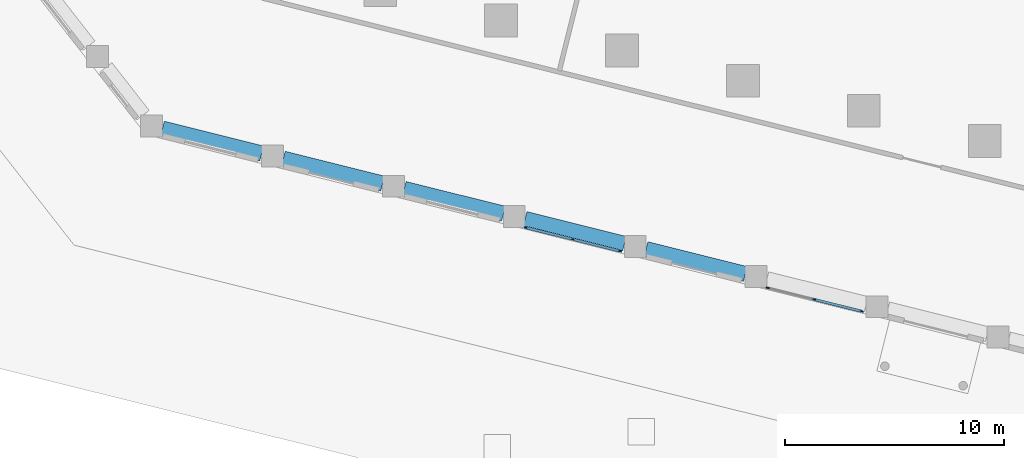
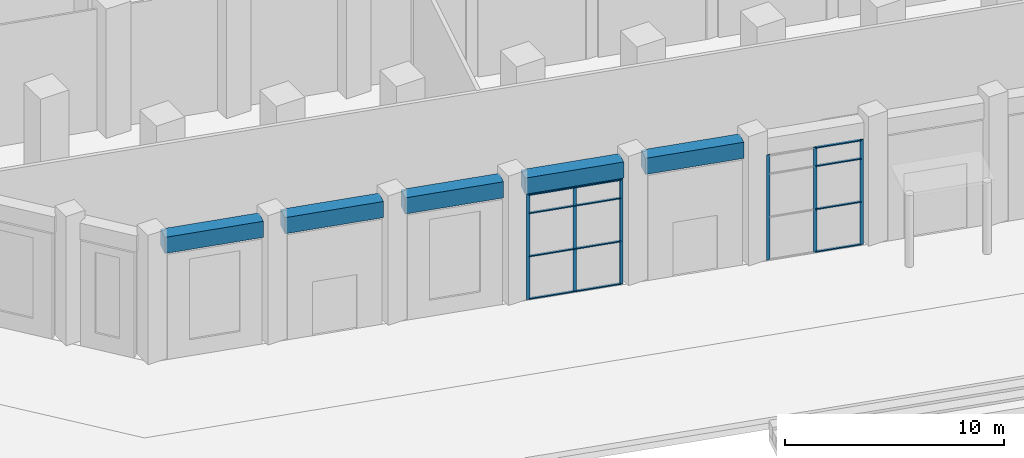
# One storey, part 5 of 27: 18 members, 5 beams, 2 elements without a shape of their own.
"""IFC4 building model written with IfcOpenShell, lengths in metres."""

import ifcopenshell
import ifcopenshell.guid

model = None  # the IFC model being written
_history = None  # IfcOwnerHistory: only IFC2X3 demands one
_inside = {}  # id of a spatial element -> (the spatial element, [elements in it])
_under = {}  # id of a project, library or spatial element -> (it, [spatial elements below it])
_declared = {}  # id of a project -> (the project, [libraries it declares])
_typed = {}  # id of a type object -> (the type object, [elements of that type])
_made_of = {}  # id of a material, layer set ... -> (it, [elements and type objects made of it])


def new_model(schema):
    """Start an empty IFC model of exactly this schema.

    Asked for "IFC4X3", IfcOpenShell would pick the latest addendum, in which some entities
    have other attributes; the version numbers below select the first issue.
    IFC2X3 requires an IfcOwnerHistory on every rooted entity: one is made here for all.
    """
    global model, _history
    if schema == "IFC4X3":
        model = ifcopenshell.file(schema_version=(4, 3, 0, 0))
    else:
        model = ifcopenshell.file(schema=schema)
    _inside.clear()
    _under.clear()
    _declared.clear()
    _typed.clear()
    _made_of.clear()
    _history = None
    if model.schema == "IFC2X3":
        org = make("IfcOrganization", Name="unknown")
        user = make(
            "IfcPersonAndOrganization",
            ThePerson=make("IfcPerson", FamilyName="unknown"),
            TheOrganization=org,
        )
        app = make(
            "IfcApplication",
            ApplicationDeveloper=org,
            Version="unknown",
            ApplicationFullName="unknown",
            ApplicationIdentifier="unknown",
        )
        _history = make(
            "IfcOwnerHistory",
            OwningUser=user,
            OwningApplication=app,
            ChangeAction="ADDED",
            CreationDate=0,
        )
    return model


def make(cls, **values):
    """One entity of the class cls with the attributes given. An attribute that is None is left unset."""
    return model.create_entity(
        cls, **{name: value for name, value in values.items() if value is not None}
    )


def rooted(cls, **values):
    """An entity with a GlobalId (a new one), such as an element, a storey or a relation."""
    return make(cls, GlobalId=ifcopenshell.guid.new(), OwnerHistory=_history, **values)


def si_unit(unit_type, name, prefix=None):
    """IfcSIUnit, for example si_unit("LENGTHUNIT", "METRE", prefix="MILLI")."""
    return make("IfcSIUnit", UnitType=unit_type, Prefix=prefix, Name=name)


def assignment(units):
    """IfcUnitAssignment: the units of a project."""
    return None if units is None else make("IfcUnitAssignment", Units=units)


def point(xyz):
    """IfcCartesianPoint."""
    return None if xyz is None else make("IfcCartesianPoint", Coordinates=xyz)


def direction(xyz):
    """IfcDirection."""
    return None if xyz is None else make("IfcDirection", DirectionRatios=xyz)


def frame(location, z_axis=None, x_axis=None):
    """IfcAxis2Placement3D, a coordinate frame: its origin and axes. An axis left out is left unset."""
    return make(
        "IfcAxis2Placement3D",
        Location=point(location),
        Axis=direction(z_axis),
        RefDirection=direction(x_axis),
    )


def frame_2d(location, x_axis=None):
    """IfcAxis2Placement2D, a coordinate frame in the plane: its origin and x axis."""
    return make(
        "IfcAxis2Placement2D", Location=point(location), RefDirection=direction(x_axis)
    )


def origin():
    """The frame at (0, 0, 0) with its axes left unset."""
    return frame((0.0, 0.0, 0.0))


def origin_2d():
    """The frame at (0, 0) in the plane with its x axis left unset."""
    return frame_2d((0.0, 0.0))


def place(relative_to, where):
    """IfcLocalPlacement: puts the frame where relative to a parent placement (None: the world)."""
    return make(
        "IfcLocalPlacement", PlacementRelTo=relative_to, RelativePlacement=where
    )


def context(
    kind, dimensions, precision=None, world=None, true_north=None, identifier=None
):
    """IfcGeometricRepresentationContext, for example the 3D "Model" context."""
    return make(
        "IfcGeometricRepresentationContext",
        ContextIdentifier=identifier,
        ContextType=kind,
        CoordinateSpaceDimension=dimensions,
        Precision=precision,
        WorldCoordinateSystem=world,
        TrueNorth=true_north,
    )


def subcontext(parent, identifier, kind, view, scale=None):
    """IfcGeometricRepresentationSubContext, for example "Body" below "Model"."""
    return make(
        "IfcGeometricRepresentationSubContext",
        ContextIdentifier=identifier,
        ContextType=kind,
        ParentContext=parent,
        TargetScale=scale,
        TargetView=view,
    )


def project(units=None, contexts=None):
    """IfcProject with its units and contexts."""
    return rooted(
        "IfcProject",
        Name="project",
        RepresentationContexts=contexts,
        UnitsInContext=assignment(units),
    )


def spatial(cls, under=None, at=None, **own):
    """A site, building, storey or space (cls), placed at a placement, below another one or the project."""
    s = rooted(cls, ObjectPlacement=at, **own)
    if under is not None:
        _under.setdefault(under.id(), (under, []))[1].append(s)
    return s


def profile(cls, at=None, kind="AREA", **sizes):
    """A parametric profile (cls). Its sizes go by their IFC names, for example OverallWidth=200.0."""
    return make(cls, ProfileType=kind, Position=at, **sizes)


def rectangle(**sizes):
    """IfcRectangleProfileDef."""
    return profile("IfcRectangleProfileDef", **sizes)


def extrude(swept, where, along, depth):
    """IfcExtrudedAreaSolid: the profile swept, set in the frame where, extruded along a direction by depth."""
    return make(
        "IfcExtrudedAreaSolid",
        SweptArea=swept,
        Position=where,
        ExtrudedDirection=direction(along),
        Depth=depth,
    )


def shape(context_of_items, identifier, shape_type, items):
    """IfcShapeRepresentation: the items that make up one representation, for example the "Body"."""
    return make(
        "IfcShapeRepresentation",
        ContextOfItems=context_of_items,
        RepresentationIdentifier=identifier,
        RepresentationType=shape_type,
        Items=items,
    )


def material(Name=None, Category=None):
    """IfcMaterial."""
    return make("IfcMaterial", Name=Name, Category=Category)


def material_profile(
    of_material, cross_section, Name=None, Category=None, Priority=None
):
    """IfcMaterialProfile: a cross section and its material."""
    return make(
        "IfcMaterialProfile",
        Name=Name,
        Material=of_material,
        Profile=cross_section,
        Priority=Priority,
        Category=Category,
    )


def profile_set(profiles, Name=None, composite=None):
    """IfcMaterialProfileSet."""
    return make(
        "IfcMaterialProfileSet",
        Name=Name,
        MaterialProfiles=profiles,
        CompositeProfile=composite,
    )


def made_of(thing, what):
    """Note that an element or type object is made of a material, layer set ...; save() writes the relation."""
    if what is not None:
        _made_of.setdefault(what.id(), (what, []))[1].append(thing)
    return thing


def type_object(cls, material=None, **own):
    """A type object (cls), such as IfcWallType, which elements share."""
    return made_of(rooted(cls, **own), material)


def element(
    cls,
    number,
    at=None,
    inside=None,
    cuts=None,
    type_object=None,
    material=None,
    context=None,
    identifier="Body",
    shape_type=None,
    held_by="IfcProductDefinitionShape",
    body=None,
    shapes=None,
    **own,
):
    """One element of the class cls, such as IfcWall. Its Tag is "e" and its number.

    at: its placement. inside: the storey or other place that contains it. cuts: it is an
    opening in that element (IfcRelVoidsElement). A single representation is given by context,
    identifier, shape_type and body (its items); several are given by shapes. held_by: the class
    of the entity that holds the representations. save() writes the other relations.
    """
    e = rooted(cls, Tag="e%d" % number, ObjectPlacement=at, **own)
    if body is not None:
        shapes = [shape(context, identifier, shape_type, body)]
    if shapes is not None:
        e.Representation = make(held_by, Representations=shapes)
    if inside is not None:
        _inside.setdefault(inside.id(), (inside, []))[1].append(e)
    if cuts is not None:
        rooted(
            "IfcRelVoidsElement", RelatingBuildingElement=cuts, RelatedOpeningElement=e
        )
    if type_object is not None:
        _typed.setdefault(type_object.id(), (type_object, []))[1].append(e)
    return made_of(e, material)


def aggregate(whole, parts):
    """IfcRelAggregates: a whole, such as a stair, and the parts it consists of."""
    return rooted("IfcRelAggregates", RelatingObject=whole, RelatedObjects=parts)


def save(model, path):
    """Write the relations noted so far, then the file.

    IfcRelAggregates (storeys below a building ...), IfcRelContainedInSpatialStructure (elements
    in a storey), IfcRelDefinesByType, IfcRelAssociatesMaterial and IfcRelDeclares: one each for
    every whole, place, type object, material and project.
    """
    for whole, parts in _under.values():
        aggregate(whole, parts)
    for where, things in _inside.values():
        rooted(
            "IfcRelContainedInSpatialStructure",
            RelatedElements=things,
            RelatingStructure=where,
        )
    for kind, things in _typed.values():
        rooted("IfcRelDefinesByType", RelatedObjects=things, RelatingType=kind)
    for what, things in _made_of.values():
        rooted("IfcRelAssociatesMaterial", RelatedObjects=things, RelatingMaterial=what)
    for by, libraries in _declared.values():
        rooted("IfcRelDeclares", RelatingContext=by, RelatedDefinitions=libraries)
    model.write(path)


model = new_model("IFC4")

# Units and contexts
model_context = context("Model", 3, precision=1e-05, world=origin(), true_north=direction((0.0, 1.0)))
body_context = subcontext(model_context, "Body", "Model", "MODEL_VIEW")
ifc_project = project(units=[si_unit("LENGTHUNIT", "METRE"), si_unit("AREAUNIT", "SQUARE_METRE"), si_unit("VOLUMEUNIT", "CUBIC_METRE"), si_unit("PLANEANGLEUNIT", "RADIAN"), si_unit("MASSUNIT", "GRAM", prefix="KILO")], contexts=[model_context])

# Site, building, storey
site_placement = place(None, origin())
site = spatial("IfcSite", under=ifc_project, at=site_placement, CompositionType="ELEMENT")
building_placement = place(site_placement, origin())
building = spatial("IfcBuilding", under=site, at=building_placement, Name="Meshkara Civic Tower", CompositionType="ELEMENT")
storey_placement = place(building_placement, origin())
storey = spatial("IfcBuildingStorey", under=building, at=storey_placement, Name="L00", CompositionType="ELEMENT", Elevation=0.0)

# Curtain wall, members
ifc_material_1 = material(Name="Tinted double glazing", Category="glass")
curtain_wall_type = type_object("IfcCurtainWallType", Name="CW SERVICE HALL FRONT", PredefinedType="NOTDEFINED", material=ifc_material_1)
curtain_wall_1_placement = place(storey_placement, origin())
curtain_wall_1 = element("IfcCurtainWall", 1, at=curtain_wall_1_placement, inside=storey, type_object=curtain_wall_type, Name="Curtain wall CW1", PredefinedType="NOTDEFINED")
ifc_material_2 = material(Name="Bronze anodised aluminium", Category="aluminium")
ifc_material_profile_1 = material_profile(ifc_material_2, rectangle(XDim=0.06005859375, YDim=0.159912109375, at=origin_2d()))
ifc_profile_set_1 = profile_set([ifc_material_profile_1], Name="Bronze anodised aluminium")
member_type_1 = type_object("IfcMemberType", Name="CW MULLION 60x160", PredefinedType="MULLION", material=ifc_profile_set_1)
member_1_placement = place(storey_placement, frame((29.046142578125, -15.97119140625, 0.0), z_axis=(0.0, 0.0, 1.0), x_axis=(0.24201124502, 0.970273444594, 0.0)))
member_1 = element("IfcMember", 2, at=member_1_placement, type_object=member_type_1, Name="CW1 mullion 1", PredefinedType="MULLION", context=body_context, shape_type="SweptSolid", body=[
    extrude(rectangle(XDim=0.06005859375, YDim=0.159912109375, at=origin_2d()), origin(), (0.0, 0.0, 1.0), 5.85009765625),
])
member_2_placement = place(storey_placement, frame((31.194091796875, -16.507080078125, 0.0), z_axis=(0.0, 0.0, 1.0), x_axis=(0.24201124502, 0.970273444594, 0.0)))
member_2 = element("IfcMember", 3, at=member_2_placement, type_object=member_type_1, Name="CW1 mullion 2", PredefinedType="MULLION", context=body_context, shape_type="SweptSolid", body=[
    extrude(rectangle(XDim=0.06005859375, YDim=0.159912109375, at=origin_2d()), origin(), (0.0, 0.0, 1.0), 5.85009765625),
])
member_3_placement = place(storey_placement, frame((33.341796875, -17.042724609375, 0.0), z_axis=(0.0, 0.0, 1.0), x_axis=(0.24201124502, 0.970273444594, 0.0)))
member_3 = element("IfcMember", 4, at=member_3_placement, type_object=member_type_1, Name="CW1 mullion 3", PredefinedType="MULLION", context=body_context, shape_type="SweptSolid", body=[
    extrude(rectangle(XDim=0.06005859375, YDim=0.159912109375, at=origin_2d()), origin(), (0.0, 0.0, 1.0), 5.85009765625),
])

curtain_wall_2_placement = place(storey_placement, origin())
curtain_wall_2 = element("IfcCurtainWall", 5, at=curtain_wall_2_placement, inside=storey, type_object=curtain_wall_type, Name="Curtain wall CW1", PredefinedType="NOTDEFINED")
member_4_placement = place(storey_placement, frame((40.107177734375, -18.729248046875, 0.0), z_axis=(0.0, 0.0, 1.0), x_axis=(0.24201124502, 0.970273444594, 0.0)))
member_4 = element("IfcMember", 6, at=member_4_placement, type_object=member_type_1, Name="CW1 mullion 1", PredefinedType="MULLION", context=body_context, shape_type="SweptSolid", body=[
    extrude(rectangle(XDim=0.06005859375, YDim=0.159912109375, at=origin_2d()), origin(), (0.0, 0.0, 1.0), 5.85009765625),
])
member_5_placement = place(storey_placement, frame((42.2548828125, -19.264892578125, 0.0), z_axis=(0.0, 0.0, 1.0), x_axis=(0.24201124502, 0.970273444594, 0.0)))
member_5 = element("IfcMember", 7, at=member_5_placement, type_object=member_type_1, Name="CW1 mullion 2", PredefinedType="MULLION", context=body_context, shape_type="SweptSolid", body=[
    extrude(rectangle(XDim=0.06005859375, YDim=0.159912109375, at=origin_2d()), origin(), (0.0, 0.0, 1.0), 5.85009765625),
])
member_6_placement = place(storey_placement, frame((44.40283203125, -19.80078125, 0.0), z_axis=(0.0, 0.0, 1.0), x_axis=(0.24201124502, 0.970273444594, 0.0)))
member_6 = element("IfcMember", 8, at=member_6_placement, type_object=member_type_1, Name="CW1 mullion 3", PredefinedType="MULLION", context=body_context, shape_type="SweptSolid", body=[
    extrude(rectangle(XDim=0.06005859375, YDim=0.159912109375, at=origin_2d()), origin(), (0.0, 0.0, 1.0), 5.85009765625),
])

# Member
ifc_material_3 = material(Name="Bronze anodised aluminium", Category="aluminium")
ifc_material_profile_2 = material_profile(ifc_material_3, rectangle(XDim=0.1201171875, YDim=0.06005859375, at=origin_2d()))
ifc_profile_set_2 = profile_set([ifc_material_profile_2], Name="Bronze anodised aluminium")
member_type_2 = type_object("IfcMemberType", Name="CW TRANSOM 60x120", PredefinedType="USERDEFINED", material=ifc_profile_set_2)
member_7_placement = place(storey_placement, frame((29.0751953125, -15.978515625, 0.030029296875), z_axis=(0.970269066962, -0.242028795182, 0.0), x_axis=(0.242028795182, 0.970269066962, 0.0)))
member_7 = element("IfcMember", 9, at=member_7_placement, type_object=member_type_2, Name="CW1 transom 1.1", ObjectType="TRANSOM", PredefinedType="USERDEFINED", context=body_context, shape_type="SweptSolid", body=[
    extrude(rectangle(XDim=0.1201171875, YDim=0.06005859375, at=origin_2d()), origin(), (0.0, 0.0, 1.0), 2.153564453125),
])

member_8_placement = place(storey_placement, frame((29.0751953125, -15.978515625, 2.39990234375), z_axis=(0.970269066962, -0.242028795182, 0.0), x_axis=(0.242028795182, 0.970269066962, 0.0)))
member_8 = element("IfcMember", 10, at=member_8_placement, type_object=member_type_2, Name="CW1 transom 1.2", ObjectType="TRANSOM", PredefinedType="USERDEFINED", context=body_context, shape_type="SweptSolid", body=[
    extrude(rectangle(XDim=0.1201171875, YDim=0.06005859375, at=origin_2d()), origin(), (0.0, 0.0, 1.0), 2.153564453125),
])

member_9_placement = place(storey_placement, frame((29.0751953125, -15.978515625, 4.800048828125), z_axis=(0.970269066962, -0.242028795182, 0.0), x_axis=(0.242028795182, 0.970269066962, 0.0)))
member_9 = element("IfcMember", 11, at=member_9_placement, type_object=member_type_2, Name="CW1 transom 1.3", ObjectType="TRANSOM", PredefinedType="USERDEFINED", context=body_context, shape_type="SweptSolid", body=[
    extrude(rectangle(XDim=0.1201171875, YDim=0.06005859375, at=origin_2d()), origin(), (0.0, 0.0, 1.0), 2.153564453125),
])

member_10_placement = place(storey_placement, frame((29.0751953125, -15.978515625, 5.820068359375), z_axis=(0.970269066962, -0.242028795182, 0.0), x_axis=(0.242028795182, 0.970269066962, 0.0)))
member_10 = element("IfcMember", 12, at=member_10_placement, type_object=member_type_2, Name="CW1 transom 1.4", ObjectType="TRANSOM", PredefinedType="USERDEFINED", context=body_context, shape_type="SweptSolid", body=[
    extrude(rectangle(XDim=0.1201171875, YDim=0.06005859375, at=origin_2d()), origin(), (0.0, 0.0, 1.0), 2.153564453125),
])

member_11_placement = place(storey_placement, frame((31.22314453125, -16.51416015625, 0.030029296875), z_axis=(0.970269066962, -0.242028795182, 0.0), x_axis=(0.242028795182, 0.970269066962, 0.0)))
member_11 = element("IfcMember", 13, at=member_11_placement, type_object=member_type_2, Name="CW1 transom 2.1", ObjectType="TRANSOM", PredefinedType="USERDEFINED", context=body_context, shape_type="SweptSolid", body=[
    extrude(rectangle(XDim=0.1201171875, YDim=0.06005859375, at=origin_2d()), origin(), (0.0, 0.0, 1.0), 2.153564453125),
])

member_12_placement = place(storey_placement, frame((31.22314453125, -16.51416015625, 2.39990234375), z_axis=(0.970269066962, -0.242028795182, 0.0), x_axis=(0.242028795182, 0.970269066962, 0.0)))
member_12 = element("IfcMember", 14, at=member_12_placement, type_object=member_type_2, Name="CW1 transom 2.2", ObjectType="TRANSOM", PredefinedType="USERDEFINED", context=body_context, shape_type="SweptSolid", body=[
    extrude(rectangle(XDim=0.1201171875, YDim=0.06005859375, at=origin_2d()), origin(), (0.0, 0.0, 1.0), 2.153564453125),
])

member_13_placement = place(storey_placement, frame((31.22314453125, -16.51416015625, 4.800048828125), z_axis=(0.970269066962, -0.242028795182, 0.0), x_axis=(0.242028795182, 0.970269066962, 0.0)))
member_13 = element("IfcMember", 15, at=member_13_placement, type_object=member_type_2, Name="CW1 transom 2.3", ObjectType="TRANSOM", PredefinedType="USERDEFINED", context=body_context, shape_type="SweptSolid", body=[
    extrude(rectangle(XDim=0.1201171875, YDim=0.06005859375, at=origin_2d()), origin(), (0.0, 0.0, 1.0), 2.153564453125),
])

member_14_placement = place(storey_placement, frame((31.22314453125, -16.51416015625, 5.820068359375), z_axis=(0.970269066962, -0.242028795182, 0.0), x_axis=(0.242028795182, 0.970269066962, 0.0)))
member_14 = element("IfcMember", 16, at=member_14_placement, type_object=member_type_2, Name="CW1 transom 2.4", ObjectType="TRANSOM", PredefinedType="USERDEFINED", context=body_context, shape_type="SweptSolid", body=[
    extrude(rectangle(XDim=0.1201171875, YDim=0.06005859375, at=origin_2d()), origin(), (0.0, 0.0, 1.0), 2.153564453125),
])

aggregate(curtain_wall_1, [member_1, member_2, member_3, member_7, member_8, member_9, member_10, member_11, member_12, member_13, member_14])

member_15_placement = place(storey_placement, frame((42.2841796875, -19.272216796875, 0.030029296875), z_axis=(0.970269066962, -0.242028795182, 0.0), x_axis=(0.242028795182, 0.970269066962, 0.0)))
member_15 = element("IfcMember", 17, at=member_15_placement, type_object=member_type_2, Name="CW1 transom 2.1", ObjectType="TRANSOM", PredefinedType="USERDEFINED", context=body_context, shape_type="SweptSolid", body=[
    extrude(rectangle(XDim=0.1201171875, YDim=0.06005859375, at=origin_2d()), origin(), (0.0, 0.0, 1.0), 2.153564453125),
])

member_16_placement = place(storey_placement, frame((42.2841796875, -19.272216796875, 2.39990234375), z_axis=(0.970269066962, -0.242028795182, 0.0), x_axis=(0.242028795182, 0.970269066962, 0.0)))
member_16 = element("IfcMember", 18, at=member_16_placement, type_object=member_type_2, Name="CW1 transom 2.2", ObjectType="TRANSOM", PredefinedType="USERDEFINED", context=body_context, shape_type="SweptSolid", body=[
    extrude(rectangle(XDim=0.1201171875, YDim=0.06005859375, at=origin_2d()), origin(), (0.0, 0.0, 1.0), 2.153564453125),
])

member_17_placement = place(storey_placement, frame((42.2841796875, -19.272216796875, 4.800048828125), z_axis=(0.970269066962, -0.242028795182, 0.0), x_axis=(0.242028795182, 0.970269066962, 0.0)))
member_17 = element("IfcMember", 19, at=member_17_placement, type_object=member_type_2, Name="CW1 transom 2.3", ObjectType="TRANSOM", PredefinedType="USERDEFINED", context=body_context, shape_type="SweptSolid", body=[
    extrude(rectangle(XDim=0.1201171875, YDim=0.06005859375, at=origin_2d()), origin(), (0.0, 0.0, 1.0), 2.153564453125),
])

member_18_placement = place(storey_placement, frame((42.2841796875, -19.272216796875, 5.820068359375), z_axis=(0.970269066962, -0.242028795182, 0.0), x_axis=(0.242028795182, 0.970269066962, 0.0)))
member_18 = element("IfcMember", 20, at=member_18_placement, type_object=member_type_2, Name="CW1 transom 2.4", ObjectType="TRANSOM", PredefinedType="USERDEFINED", context=body_context, shape_type="SweptSolid", body=[
    extrude(rectangle(XDim=0.1201171875, YDim=0.06005859375, at=origin_2d()), origin(), (0.0, 0.0, 1.0), 2.153564453125),
])

aggregate(curtain_wall_2, [member_4, member_5, member_6, member_15, member_16, member_17, member_18])

# Beams
ifc_material_4 = material(Name="Concrete C60", Category="concrete")
ifc_material_profile_3 = material_profile(ifc_material_4, rectangle(XDim=0.699951171875, YDim=0.89990234375, at=origin_2d()))
ifc_profile_set_3 = profile_set([ifc_material_profile_3], Name="Concrete C60")
beam_type = type_object("IfcBeamType", Name="Spandrel beam RC 700x900 C60", PredefinedType="BEAM", material=ifc_profile_set_3)
beam_1_placement = place(storey_placement, frame((12.421142578125, -11.445556640625, 6.300048828125), z_axis=(0.970311050729, -0.24186042428, 0.0), x_axis=(0.24186042428, 0.970311050729, 0.0)))
element("IfcBeam", 21, at=beam_1_placement, inside=storey, type_object=beam_type, Name="Spandrel beam PD03-E-PD04-01", PredefinedType="BEAM", context=body_context, shape_type="SweptSolid", body=[
    extrude(rectangle(XDim=0.699951171875, YDim=0.89990234375, at=origin_2d()), origin(), (0.0, 0.0, 1.0), 4.6796875),
])
beam_2_placement = place(storey_placement, frame((17.9521484375, -12.824462890625, 6.300048828125), z_axis=(0.970286590806, -0.241958533023, 0.0), x_axis=(0.241958533023, 0.970286590806, 0.0)))
element("IfcBeam", 22, at=beam_2_placement, inside=storey, type_object=beam_type, Name="Spandrel beam PD04-01-PD04-02", PredefinedType="BEAM", context=body_context, shape_type="SweptSolid", body=[
    extrude(rectangle(XDim=0.699951171875, YDim=0.89990234375, at=origin_2d()), origin(), (0.0, 0.0, 1.0), 4.6787109375),
])
for number, where, z_axis, x_axis, name in (
    (23, (23.482177734375, -14.20361328125, 6.300048828125), (0.970311050729, -0.24186042428, 0.0), (0.24186042428, 0.970311050729, 0.0), "Spandrel beam PD04-02-PD04-03"),
    (24, (29.01318359375, -15.58251953125, 6.300048828125), (0.970298806378, -0.241909541651, 0.0), (0.241909541651, 0.970298806378, 0.0), "Spandrel beam PD04-03-PD04-04"),
):
    element("IfcBeam", number, at=place(storey_placement, frame(where, z_axis=z_axis, x_axis=x_axis)), inside=storey, type_object=beam_type, Name=name, PredefinedType="BEAM", context=body_context, shape_type="SweptSolid", body=[
        extrude(rectangle(XDim=0.699951171875, YDim=0.89990234375, at=origin_2d()), origin(), (0.0, 0.0, 1.0), 4.6796875),
    ])
beam_3_placement = place(storey_placement, frame((34.544189453125, -16.96142578125, 6.300048828125), z_axis=(0.970347770718, -0.241713061011, 0.0), x_axis=(0.241713061011, 0.970347770718, 0.0)))
element("IfcBeam", 25, at=beam_3_placement, inside=storey, type_object=beam_type, Name="Spandrel beam PD04-04-PD04-05", PredefinedType="BEAM", context=body_context, shape_type="SweptSolid", body=[
    extrude(rectangle(XDim=0.699951171875, YDim=0.89990234375, at=origin_2d()), origin(), (0.0, 0.0, 1.0), 4.679443359375),
])

save(model, "model.ifc")
